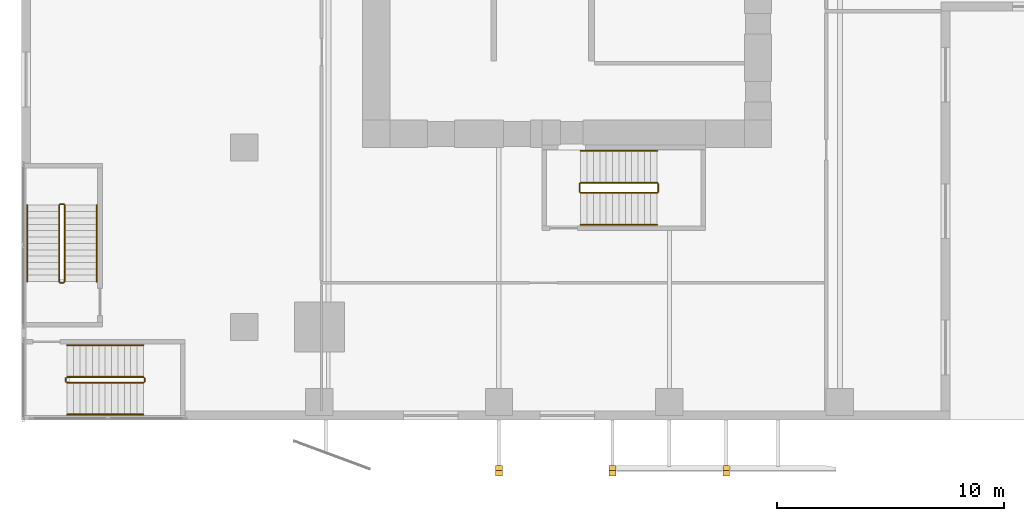
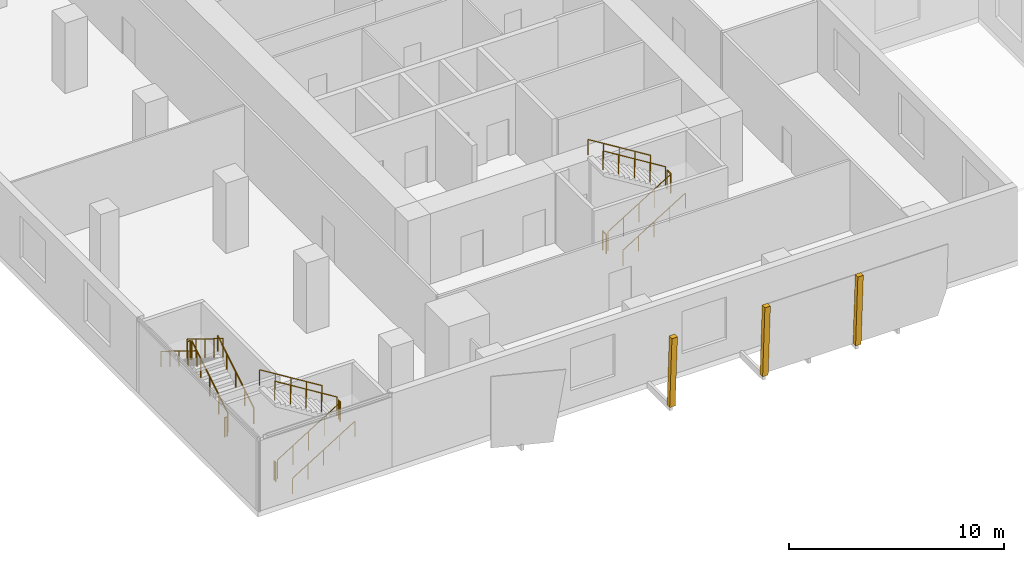
# One storey, part 16 of 21: 18 railings, 3 coverings.
"""IFC4 building model written with IfcOpenShell, lengths in metres."""

from ifc_helpers import new_model, si_unit, direction, frame, origin, origin_2d, place, context, subcontext, project, spatial, polyline, circle, outline, extrude, source, transform, mapped, material, layer, layer_set, type_object, element, save


model = new_model("IFC4")

# Units and contexts
model_context = context("Model", 3, precision=1e-05, world=origin(), true_north=direction((0.0, 1.0)))
body_context = subcontext(model_context, "Body", "Model", "MODEL_VIEW")
ifc_project = project(units=[si_unit("LENGTHUNIT", "METRE"), si_unit("AREAUNIT", "SQUARE_METRE"), si_unit("VOLUMEUNIT", "CUBIC_METRE"), si_unit("PLANEANGLEUNIT", "RADIAN"), si_unit("MASSUNIT", "GRAM", prefix="KILO")], contexts=[model_context])

# Site, building, storey
site_placement = place(None, origin())
site = spatial("IfcSite", under=ifc_project, at=site_placement, CompositionType="ELEMENT")
building_placement = place(site_placement, origin())
building = spatial("IfcBuilding", under=site, at=building_placement, Name="Khomas Fold Tower", CompositionType="ELEMENT")
storey_placement = place(building_placement, frame((0.0, 0.0, 28.5)))
storey = spatial("IfcBuildingStorey", under=building, at=storey_placement, Name="L05", CompositionType="ELEMENT", Elevation=28.5)

# Coverings
ifc_material_1 = material(Name="Natural stone cladding", Category="masonry")
ifc_layer = layer(ifc_material_1, 0.25)
ifc_layer_set = layer_set([ifc_layer], Name="Natural stone cladding")
covering_type = type_object("IfcCoveringType", Name="SK-Karibib marble stone mullion", PredefinedType="CLADDING", material=ifc_layer_set)
for number, where, z_axis, x_axis, name in (
    (1, (12.14990234375, -2.212890625, 4.050048828125), (0.0, 0.998627623239, 0.052372417398), (0.0, 0.052372417398, -0.998627623239), "OUTER SKIN mullion L05 SM100-2"),
    (2, (17.14990234375, -2.212890625, 4.050048828125), (0.0, 0.998627623239, 0.052372417398), (0.0, 0.052372417398, -0.998627623239), "OUTER SKIN mullion L05 SM101-3"),
    (3, (22.14990234375, -2.212890625, 4.050048828125), (0.0, 0.998627623239, 0.052372417398), (0.0, 0.052372417398, -0.998627623239), "OUTER SKIN mullion L05 SM102-5"),
):
    element("IfcCovering", number, at=place(storey_placement, frame(where, z_axis=z_axis, x_axis=x_axis)), inside=storey, type_object=covering_type, Name=name, PredefinedType="CLADDING", context=body_context, shape_type="SweptSolid", body=[
        extrude(outline(polyline([(0.0, 0.0), (4.055614659435384, 0.0), (4.055614659435384, 0.2998046875), (0.0, 0.2998046875), (0.0, 0.0)])), origin(), (0.0, 0.0, -1.0), 0.25),
    ])

# Railings
ifc_material_2 = material(Name="Steel balustrade", Category="steel")
railing_type_1 = type_object("IfcRailingType", Name="Stair guard", PredefinedType="GUARDRAIL", material=ifc_material_2)
shared_shape_1 = source(origin(), body_context, "Body", "SweptSolid", [
    extrude(circle(Radius=0.02392578125, at=origin_2d()), frame((0.0, 0.0, 1.076171875), z_axis=(0.850606129759, 0.0, 0.525803396734), x_axis=(0.0, 1.0, 0.0)), (0.0, 0.0, 1.0), 3.949951171875),
    extrude(circle(Radius=0.02099609375, at=origin_2d()), origin(), (0.0, 0.0, 1.0), 1.052001953125),
    extrude(circle(Radius=0.02099609375, at=origin_2d()), frame((0.83984375, 0.0, 0.519287109375)), (0.0, 0.0, 1.0), 1.052001953125),
    extrude(circle(Radius=0.02099609375, at=origin_2d()), frame((1.679931640625, 0.0, 1.03857421875)), (0.0, 0.0, 1.0), 1.052001953125),
    extrude(circle(Radius=0.02099609375, at=origin_2d()), frame((2.52001953125, 0.0, 1.5576171875)), (0.0, 0.0, 1.0), 1.052001953125),
    extrude(circle(Radius=0.02099609375, at=origin_2d()), frame((3.35986328125, 0.0, 2.076904296875)), (0.0, 0.0, 1.0), 1.052001953125),
])
railing_1_placement = place(storey_placement, frame((15.60009765625, 10.0, 0.173095703125)))
element("IfcRailing", 4, at=railing_1_placement, inside=storey, type_object=railing_type_1, Name="L05 ST2 stair guard 1", PredefinedType="GUARDRAIL", context=body_context, shape_type="MappedRepresentation", body=[
    mapped(shared_shape_1, transform((0.0, 0.0, 0.0))),
])
shared_shape_2 = source(origin(), body_context, "Body", "SweptSolid", [
    extrude(circle(Radius=0.02392578125, at=origin_2d()), frame((0.0, 0.0, 1.076171875), z_axis=(0.0, 1.0, 0.0), x_axis=(-1.0, 0.0, 0.0)), (0.0, 0.0, 1.0), 0.349853515625),
    extrude(circle(Radius=0.02099609375, at=origin_2d()), origin(), (0.0, 0.0, 1.0), 1.052001953125),
    extrude(circle(Radius=0.02099609375, at=origin_2d()), frame((0.0, 0.349853515625, 0.0)), (0.0, 0.0, 1.0), 1.052001953125),
])
for number, where, name in (
    (5, (19.010009765625, 10.050048828125, 2.25), "L05 ST2 stair guard 2"),
    (6, (15.550048828125, 10.050048828125, 0.0), "L05 ST2 stair guard 4"),
):
    element("IfcRailing", number, at=place(storey_placement, frame(where)), inside=storey, type_object=railing_type_1, Name=name, PredefinedType="GUARDRAIL", context=body_context, shape_type="MappedRepresentation", body=[
        mapped(shared_shape_2, transform((0.0, 0.0, 0.0))),
    ])
shared_shape_3 = source(origin(), body_context, "Body", "SweptSolid", [
    extrude(circle(Radius=0.02392578125, at=origin_2d()), frame((0.0, 0.0, 1.076171875), z_axis=(-0.850606129759, 0.0, 0.525803396734), x_axis=(0.0, -1.0, 0.0)), (0.0, 0.0, 1.0), 3.949951171875),
    extrude(circle(Radius=0.02099609375, at=origin_2d()), origin(), (0.0, 0.0, 1.0), 1.052001953125),
    extrude(circle(Radius=0.02099609375, at=origin_2d()), frame((-0.83984375, 0.0, 0.519287109375)), (0.0, 0.0, 1.0), 1.052001953125),
    extrude(circle(Radius=0.02099609375, at=origin_2d()), frame((-1.679931640625, 0.0, 1.03857421875)), (0.0, 0.0, 1.0), 1.052001953125),
    extrude(circle(Radius=0.02099609375, at=origin_2d()), frame((-2.52001953125, 0.0, 1.5576171875)), (0.0, 0.0, 1.0), 1.052001953125),
    extrude(circle(Radius=0.02099609375, at=origin_2d()), frame((-3.35986328125, 0.0, 2.076904296875)), (0.0, 0.0, 1.0), 1.052001953125),
])
railing_2_placement = place(storey_placement, frame((18.9599609375, 10.449951171875, 2.423095703125)))
element("IfcRailing", 7, at=railing_2_placement, inside=storey, type_object=railing_type_1, Name="L05 ST2 stair guard 3", PredefinedType="GUARDRAIL", context=body_context, shape_type="MappedRepresentation", body=[
    mapped(shared_shape_3, transform((0.0, 0.0, 0.0))),
])
ifc_material_3 = material(Name="Steel handrail", Category="steel")
railing_type_2 = type_object("IfcRailingType", Name="Stair handrail", PredefinedType="HANDRAIL", material=ifc_material_3)
shared_shape_4 = source(origin(), body_context, "Body", "SweptSolid", [
    extrude(circle(Radius=0.02392578125, at=origin_2d()), frame((0.0, 0.0, 0.8759765625), z_axis=(0.850606129759, 0.0, 0.525803396734), x_axis=(0.0, 1.0, 0.0)), (0.0, 0.0, 1.0), 3.949951171875),
    extrude(circle(Radius=0.02099609375, at=origin_2d()), origin(), (0.0, 0.0, 1.0), 0.851806640625),
    extrude(circle(Radius=0.02099609375, at=origin_2d()), frame((0.83984375, 0.0, 0.519287109375)), (0.0, 0.0, 1.0), 0.851806640625),
    extrude(circle(Radius=0.02099609375, at=origin_2d()), frame((1.679931640625, 0.0, 1.03857421875)), (0.0, 0.0, 1.0), 0.851806640625),
    extrude(circle(Radius=0.02099609375, at=origin_2d()), frame((2.52001953125, 0.0, 1.5576171875)), (0.0, 0.0, 1.0), 0.851806640625),
    extrude(circle(Radius=0.02099609375, at=origin_2d()), frame((3.35986328125, 0.0, 2.076904296875)), (0.0, 0.0, 1.0), 0.851806640625),
])
railing_3_placement = place(storey_placement, frame((15.60009765625, 8.60009765625, 0.173095703125)))
element("IfcRailing", 8, at=railing_3_placement, inside=storey, type_object=railing_type_2, Name="L05 ST2 stair handrail 1", PredefinedType="HANDRAIL", context=body_context, shape_type="MappedRepresentation", body=[
    mapped(shared_shape_4, transform((0.0, 0.0, 0.0))),
])
shared_shape_5 = source(origin(), body_context, "Body", "SweptSolid", [
    extrude(circle(Radius=0.02392578125, at=origin_2d()), frame((0.0, 0.0, 0.8759765625), z_axis=(-0.850606129759, 0.0, 0.525803396734), x_axis=(0.0, -1.0, 0.0)), (0.0, 0.0, 1.0), 3.949951171875),
    extrude(circle(Radius=0.02099609375, at=origin_2d()), origin(), (0.0, 0.0, 1.0), 0.851806640625),
    extrude(circle(Radius=0.02099609375, at=origin_2d()), frame((-0.83984375, 0.0, 0.519287109375)), (0.0, 0.0, 1.0), 0.851806640625),
    extrude(circle(Radius=0.02099609375, at=origin_2d()), frame((-1.679931640625, 0.0, 1.03857421875)), (0.0, 0.0, 1.0), 0.851806640625),
    extrude(circle(Radius=0.02099609375, at=origin_2d()), frame((-2.52001953125, 0.0, 1.5576171875)), (0.0, 0.0, 1.0), 0.851806640625),
    extrude(circle(Radius=0.02099609375, at=origin_2d()), frame((-3.35986328125, 0.0, 2.076904296875)), (0.0, 0.0, 1.0), 0.851806640625),
])
railing_4_placement = place(storey_placement, frame((18.9599609375, 11.85009765625, 2.423095703125)))
element("IfcRailing", 9, at=railing_4_placement, inside=storey, type_object=railing_type_2, Name="L05 ST2 stair handrail 2", PredefinedType="HANDRAIL", context=body_context, shape_type="MappedRepresentation", body=[
    mapped(shared_shape_5, transform((0.0, 0.0, 0.0))),
])
shared_shape_6 = source(origin(), body_context, "Body", "SweptSolid", [
    extrude(circle(Radius=0.02392578125, at=origin_2d()), frame((0.0, 0.0, 1.076171875), z_axis=(0.850623216509, 0.0, 0.525775754039), x_axis=(0.0, 1.0, 0.0)), (0.0, 0.0, 1.0), 3.9501953125),
    extrude(circle(Radius=0.02099609375, at=origin_2d()), origin(), (0.0, 0.0, 1.0), 1.052001953125),
    extrude(circle(Radius=0.02099609375, at=origin_2d()), frame((0.840087890625, 0.0, 0.519287109375)), (0.0, 0.0, 1.0), 1.052001953125),
    extrude(circle(Radius=0.02099609375, at=origin_2d()), frame((1.68017578125, 0.0, 1.03857421875)), (0.0, 0.0, 1.0), 1.052001953125),
    extrude(circle(Radius=0.02099609375, at=origin_2d()), frame((2.52001953125, 0.0, 1.5576171875)), (0.0, 0.0, 1.0), 1.052001953125),
    extrude(circle(Radius=0.02099609375, at=origin_2d()), frame((3.360107421875, 0.0, 2.076904296875)), (0.0, 0.0, 1.0), 1.052001953125),
])
railing_5_placement = place(storey_placement, frame((-7.0, 1.64990234375, 0.173095703125)))
element("IfcRailing", 10, at=railing_5_placement, inside=storey, type_object=railing_type_1, Name="L05 PS1 stair guard 1", PredefinedType="GUARDRAIL", context=body_context, shape_type="MappedRepresentation", body=[
    mapped(shared_shape_6, transform((0.0, 0.0, 0.0))),
])
shared_shape_7 = source(origin(), body_context, "Body", "SweptSolid", [
    extrude(circle(Radius=0.02392578125, at=origin_2d()), frame((0.0, 0.0, 1.076171875), z_axis=(-0.850623216509, 0.0, 0.525775754039), x_axis=(0.0, -1.0, 0.0)), (0.0, 0.0, 1.0), 3.9501953125),
    extrude(circle(Radius=0.02099609375, at=origin_2d()), origin(), (0.0, 0.0, 1.0), 1.052001953125),
    extrude(circle(Radius=0.02099609375, at=origin_2d()), frame((-0.840087890625, 0.0, 0.519287109375)), (0.0, 0.0, 1.0), 1.052001953125),
    extrude(circle(Radius=0.02099609375, at=origin_2d()), frame((-1.68017578125, 0.0, 1.03857421875)), (0.0, 0.0, 1.0), 1.052001953125),
    extrude(circle(Radius=0.02099609375, at=origin_2d()), frame((-2.52001953125, 0.0, 1.5576171875)), (0.0, 0.0, 1.0), 1.052001953125),
    extrude(circle(Radius=0.02099609375, at=origin_2d()), frame((-3.360107421875, 0.0, 2.076904296875)), (0.0, 0.0, 1.0), 1.052001953125),
])
railing_6_placement = place(storey_placement, frame((-3.639892578125, 1.89990234375, 2.423095703125)))
element("IfcRailing", 11, at=railing_6_placement, inside=storey, type_object=railing_type_1, Name="L05 PS1 stair guard 3", PredefinedType="GUARDRAIL", context=body_context, shape_type="MappedRepresentation", body=[
    mapped(shared_shape_7, transform((0.0, 0.0, 0.0))),
])
shared_shape_8 = source(origin(), body_context, "Body", "SweptSolid", [
    extrude(circle(Radius=0.02392578125, at=origin_2d()), frame((0.0, 0.0, 0.8759765625), z_axis=(0.850623216509, 0.0, 0.525775754039), x_axis=(0.0, 1.0, 0.0)), (0.0, 0.0, 1.0), 3.9501953125),
    extrude(circle(Radius=0.02099609375, at=origin_2d()), origin(), (0.0, 0.0, 1.0), 0.851806640625),
    extrude(circle(Radius=0.02099609375, at=origin_2d()), frame((0.840087890625, 0.0, 0.519287109375)), (0.0, 0.0, 1.0), 0.851806640625),
    extrude(circle(Radius=0.02099609375, at=origin_2d()), frame((1.68017578125, 0.0, 1.03857421875)), (0.0, 0.0, 1.0), 0.851806640625),
    extrude(circle(Radius=0.02099609375, at=origin_2d()), frame((2.52001953125, 0.0, 1.5576171875)), (0.0, 0.0, 1.0), 0.851806640625),
    extrude(circle(Radius=0.02099609375, at=origin_2d()), frame((3.360107421875, 0.0, 2.076904296875)), (0.0, 0.0, 1.0), 0.851806640625),
])
railing_7_placement = place(storey_placement, frame((-7.0, 0.25, 0.173095703125)))
element("IfcRailing", 12, at=railing_7_placement, inside=storey, type_object=railing_type_2, Name="L05 PS1 stair handrail 1", PredefinedType="HANDRAIL", context=body_context, shape_type="MappedRepresentation", body=[
    mapped(shared_shape_8, transform((0.0, 0.0, 0.0))),
])
shared_shape_9 = source(origin(), body_context, "Body", "SweptSolid", [
    extrude(circle(Radius=0.02392578125, at=origin_2d()), frame((0.0, 0.0, 0.8759765625), z_axis=(-0.850623216509, 0.0, 0.525775754039), x_axis=(0.0, -1.0, 0.0)), (0.0, 0.0, 1.0), 3.9501953125),
    extrude(circle(Radius=0.02099609375, at=origin_2d()), origin(), (0.0, 0.0, 1.0), 0.851806640625),
    extrude(circle(Radius=0.02099609375, at=origin_2d()), frame((-0.840087890625, 0.0, 0.519287109375)), (0.0, 0.0, 1.0), 0.851806640625),
    extrude(circle(Radius=0.02099609375, at=origin_2d()), frame((-1.68017578125, 0.0, 1.03857421875)), (0.0, 0.0, 1.0), 0.851806640625),
    extrude(circle(Radius=0.02099609375, at=origin_2d()), frame((-2.52001953125, 0.0, 1.5576171875)), (0.0, 0.0, 1.0), 0.851806640625),
    extrude(circle(Radius=0.02099609375, at=origin_2d()), frame((-3.360107421875, 0.0, 2.076904296875)), (0.0, 0.0, 1.0), 0.851806640625),
])
railing_8_placement = place(storey_placement, frame((-3.639892578125, 3.300048828125, 2.423095703125)))
element("IfcRailing", 13, at=railing_8_placement, inside=storey, type_object=railing_type_2, Name="L05 PS1 stair handrail 2", PredefinedType="HANDRAIL", context=body_context, shape_type="MappedRepresentation", body=[
    mapped(shared_shape_9, transform((0.0, 0.0, 0.0))),
])
shared_shape_10 = source(origin(), body_context, "Body", "SweptSolid", [
    extrude(circle(Radius=0.02392578125, at=origin_2d()), frame((0.0, 0.0, 1.076171875), z_axis=(0.0, 1.0, 0.0), x_axis=(-1.0, 0.0, 0.0)), (0.0, 0.0, 1.0), 0.150146484375),
    extrude(circle(Radius=0.02099609375, at=origin_2d()), origin(), (0.0, 0.0, 1.0), 1.052001953125),
    extrude(circle(Radius=0.02099609375, at=origin_2d()), frame((0.0, 0.150146484375, 0.0)), (0.0, 0.0, 1.0), 1.052001953125),
])
for number, where, name in (
    (14, (-3.590087890625, 1.699951171875, 2.25), "L05 PS1 stair guard 2"),
    (15, (-7.050048828125, 1.699951171875, 0.0), "L05 PS1 stair guard 4"),
):
    element("IfcRailing", number, at=place(storey_placement, frame(where)), inside=storey, type_object=railing_type_1, Name=name, PredefinedType="GUARDRAIL", context=body_context, shape_type="MappedRepresentation", body=[
        mapped(shared_shape_10, transform((0.0, 0.0, 0.0))),
    ])
shared_shape_11 = source(origin(), body_context, "Body", "SweptSolid", [
    extrude(circle(Radius=0.02392578125, at=origin_2d()), frame((0.0, 0.0, 1.076171875), z_axis=(-1.0, 0.0, 0.0), x_axis=(0.0, -1.0, 0.0)), (0.0, 0.0, 1.0), 0.150146484375),
    extrude(circle(Radius=0.02099609375, at=origin_2d()), origin(), (0.0, 0.0, 1.0), 1.052001953125),
    extrude(circle(Radius=0.02099609375, at=origin_2d()), frame((-0.150146484375, 0.0, 0.0)), (0.0, 0.0, 1.0), 1.052001953125),
])
for number, where, name in (
    (16, (-7.14990234375, 9.510009765625, 2.25), "L05 PS2 stair guard 2"),
    (17, (-7.14990234375, 6.050048828125, 0.0), "L05 PS2 stair guard 4"),
):
    element("IfcRailing", number, at=place(storey_placement, frame(where)), inside=storey, type_object=railing_type_1, Name=name, PredefinedType="GUARDRAIL", context=body_context, shape_type="MappedRepresentation", body=[
        mapped(shared_shape_11, transform((0.0, 0.0, 0.0))),
    ])
shared_shape_12 = source(origin(), body_context, "Body", "SweptSolid", [
    extrude(circle(Radius=0.02392578125, at=origin_2d()), frame((0.0, 0.0, 1.076171875), z_axis=(0.0, 0.850606129759, 0.525803396734), x_axis=(-1.0, 0.0, 0.0)), (0.0, 0.0, 1.0), 3.949951171875),
    extrude(circle(Radius=0.02099609375, at=origin_2d()), origin(), (0.0, 0.0, 1.0), 1.052001953125),
    extrude(circle(Radius=0.02099609375, at=origin_2d()), frame((0.0, 0.83984375, 0.519287109375)), (0.0, 0.0, 1.0), 1.052001953125),
    extrude(circle(Radius=0.02099609375, at=origin_2d()), frame((0.0, 1.679931640625, 1.03857421875)), (0.0, 0.0, 1.0), 1.052001953125),
    extrude(circle(Radius=0.02099609375, at=origin_2d()), frame((0.0, 2.52001953125, 1.5576171875)), (0.0, 0.0, 1.0), 1.052001953125),
    extrude(circle(Radius=0.02099609375, at=origin_2d()), frame((0.0, 3.35986328125, 2.076904296875)), (0.0, 0.0, 1.0), 1.052001953125),
])
railing_9_placement = place(storey_placement, frame((-7.10009765625, 6.10009765625, 0.173095703125)))
element("IfcRailing", 18, at=railing_9_placement, inside=storey, type_object=railing_type_1, Name="L05 PS2 stair guard 1", PredefinedType="GUARDRAIL", context=body_context, shape_type="MappedRepresentation", body=[
    mapped(shared_shape_12, transform((0.0, 0.0, 0.0))),
])
shared_shape_13 = source(origin(), body_context, "Body", "SweptSolid", [
    extrude(circle(Radius=0.02392578125, at=origin_2d()), frame((0.0, 0.0, 1.076171875), z_axis=(0.0, -0.850606129759, 0.525803396734), x_axis=(1.0, 0.0, 0.0)), (0.0, 0.0, 1.0), 3.949951171875),
    extrude(circle(Radius=0.02099609375, at=origin_2d()), origin(), (0.0, 0.0, 1.0), 1.052001953125),
    extrude(circle(Radius=0.02099609375, at=origin_2d()), frame((0.0, -0.83984375, 0.519287109375)), (0.0, 0.0, 1.0), 1.052001953125),
    extrude(circle(Radius=0.02099609375, at=origin_2d()), frame((0.0, -1.679931640625, 1.03857421875)), (0.0, 0.0, 1.0), 1.052001953125),
    extrude(circle(Radius=0.02099609375, at=origin_2d()), frame((0.0, -2.52001953125, 1.5576171875)), (0.0, 0.0, 1.0), 1.052001953125),
    extrude(circle(Radius=0.02099609375, at=origin_2d()), frame((0.0, -3.35986328125, 2.076904296875)), (0.0, 0.0, 1.0), 1.052001953125),
])
railing_10_placement = place(storey_placement, frame((-7.35009765625, 9.4599609375, 2.423095703125)))
element("IfcRailing", 19, at=railing_10_placement, inside=storey, type_object=railing_type_1, Name="L05 PS2 stair guard 3", PredefinedType="GUARDRAIL", context=body_context, shape_type="MappedRepresentation", body=[
    mapped(shared_shape_13, transform((0.0, 0.0, 0.0))),
])
shared_shape_14 = source(origin(), body_context, "Body", "SweptSolid", [
    extrude(circle(Radius=0.02392578125, at=origin_2d()), frame((0.0, 0.0, 0.8759765625), z_axis=(0.0, 0.850606129759, 0.525803396734), x_axis=(-1.0, 0.0, 0.0)), (0.0, 0.0, 1.0), 3.949951171875),
    extrude(circle(Radius=0.02099609375, at=origin_2d()), origin(), (0.0, 0.0, 1.0), 0.851806640625),
    extrude(circle(Radius=0.02099609375, at=origin_2d()), frame((0.0, 0.83984375, 0.519287109375)), (0.0, 0.0, 1.0), 0.851806640625),
    extrude(circle(Radius=0.02099609375, at=origin_2d()), frame((0.0, 1.679931640625, 1.03857421875)), (0.0, 0.0, 1.0), 0.851806640625),
    extrude(circle(Radius=0.02099609375, at=origin_2d()), frame((0.0, 2.52001953125, 1.5576171875)), (0.0, 0.0, 1.0), 0.851806640625),
    extrude(circle(Radius=0.02099609375, at=origin_2d()), frame((0.0, 3.35986328125, 2.076904296875)), (0.0, 0.0, 1.0), 0.851806640625),
])
railing_11_placement = place(storey_placement, frame((-5.699951171875, 6.10009765625, 0.173095703125)))
element("IfcRailing", 20, at=railing_11_placement, inside=storey, type_object=railing_type_2, Name="L05 PS2 stair handrail 1", PredefinedType="HANDRAIL", context=body_context, shape_type="MappedRepresentation", body=[
    mapped(shared_shape_14, transform((0.0, 0.0, 0.0))),
])
shared_shape_15 = source(origin(), body_context, "Body", "SweptSolid", [
    extrude(circle(Radius=0.02392578125, at=origin_2d()), frame((0.0, 0.0, 0.8759765625), z_axis=(0.0, -0.850606129759, 0.525803396734), x_axis=(1.0, 0.0, 0.0)), (0.0, 0.0, 1.0), 3.949951171875),
    extrude(circle(Radius=0.02099609375, at=origin_2d()), origin(), (0.0, 0.0, 1.0), 0.851806640625),
    extrude(circle(Radius=0.02099609375, at=origin_2d()), frame((0.0, -0.83984375, 0.519287109375)), (0.0, 0.0, 1.0), 0.851806640625),
    extrude(circle(Radius=0.02099609375, at=origin_2d()), frame((0.0, -1.679931640625, 1.03857421875)), (0.0, 0.0, 1.0), 0.851806640625),
    extrude(circle(Radius=0.02099609375, at=origin_2d()), frame((0.0, -2.52001953125, 1.5576171875)), (0.0, 0.0, 1.0), 0.851806640625),
    extrude(circle(Radius=0.02099609375, at=origin_2d()), frame((0.0, -3.35986328125, 2.076904296875)), (0.0, 0.0, 1.0), 0.851806640625),
])
railing_12_placement = place(storey_placement, frame((-8.75, 9.4599609375, 2.423095703125)))
element("IfcRailing", 21, at=railing_12_placement, inside=storey, type_object=railing_type_2, Name="L05 PS2 stair handrail 2", PredefinedType="HANDRAIL", context=body_context, shape_type="MappedRepresentation", body=[
    mapped(shared_shape_15, transform((0.0, 0.0, 0.0))),
])

save(model, "model.ifc")
